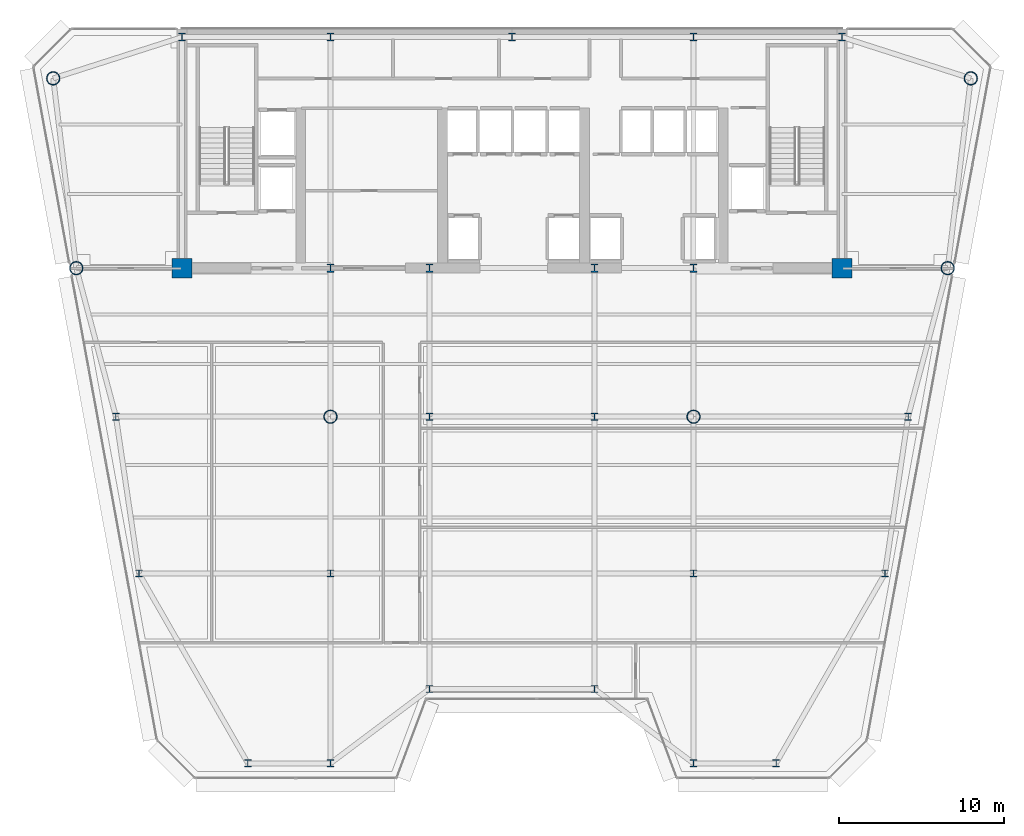
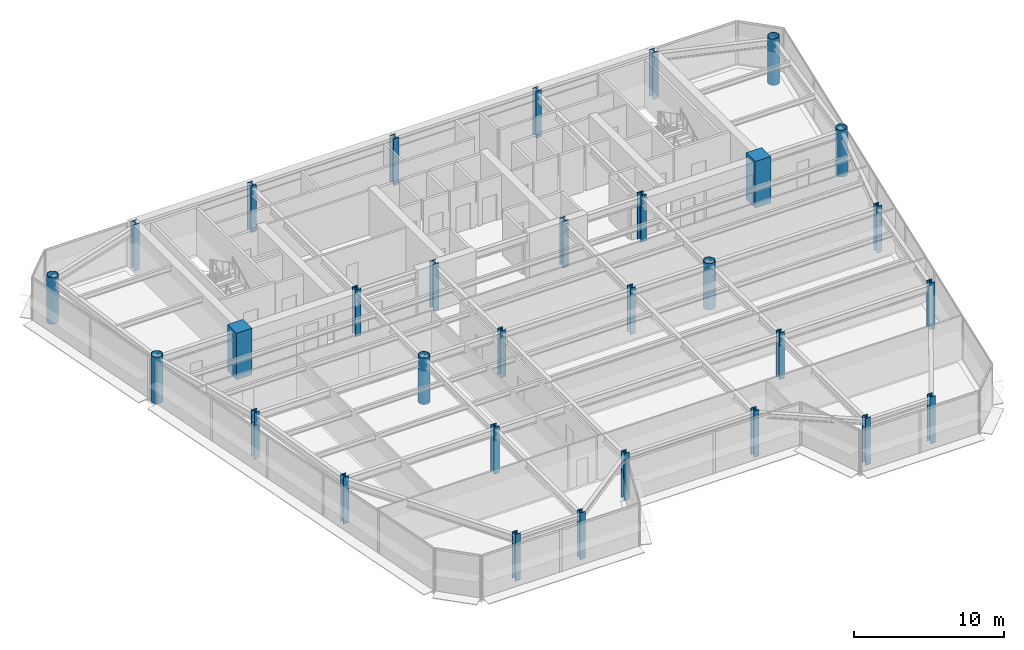
# One storey, part 1 of 16: 31 columns.
"""IFC4 building model written with IfcOpenShell, lengths in metres."""

from ifc_helpers import new_model, si_unit, direction, frame, origin, origin_2d, place, context, subcontext, project, spatial, rectangle, hollow_circle, i_section, extrude, source, transform, mapped, material, material_profile, profile_set, type_object, element, save


model = new_model("IFC4")

# Units and contexts
model_context = context("Model", 3, precision=1e-05, world=origin(), true_north=direction((0.0, 1.0)))
body_context = subcontext(model_context, "Body", "Model", "MODEL_VIEW")
ifc_project = project(units=[si_unit("LENGTHUNIT", "METRE"), si_unit("AREAUNIT", "SQUARE_METRE"), si_unit("VOLUMEUNIT", "CUBIC_METRE"), si_unit("PLANEANGLEUNIT", "RADIAN"), si_unit("MASSUNIT", "GRAM", prefix="KILO")], contexts=[model_context])

# Site, building, storey
site_placement = place(None, origin())
site = spatial("IfcSite", under=ifc_project, at=site_placement, CompositionType="ELEMENT")
building_placement = place(site_placement, origin())
building = spatial("IfcBuilding", under=site, at=building_placement, Name="Vaeldorn Concourse Tower", CompositionType="ELEMENT")
storey_placement = place(building_placement, frame((0.0, 0.0, 195.60009765625)))
storey = spatial("IfcBuildingStorey", under=building, at=storey_placement, Name="L50", CompositionType="ELEMENT", Elevation=195.60009765625)

# Columns
ifc_material_1 = material(Name="Concrete C50/60", Category="concrete")
ifc_material_profile_1 = material_profile(ifc_material_1, rectangle(XDim=1.199951171875, YDim=1.199951171875, at=origin_2d()), Name="RC 1200x1200")
ifc_profile_set_1 = profile_set([ifc_material_profile_1], Name="Concrete C50/60")
column_type_1 = type_object("IfcColumnType", Name="COL-RC1200", PredefinedType="COLUMN", material=ifc_profile_set_1)
shared_shape_1 = source(origin(), body_context, "Body", "SweptSolid", [
    extrude(rectangle(XDim=1.199951171875, YDim=1.199951171875, at=origin_2d()), origin(), (0.0, 0.0, 1.0), 3.7998046875),
])
for number, where, z_axis, x_axis, name in (
    (1, (14.0, 36.5, 0.0), (0.0, 0.0, 1.0), (1.0, 0.0, 0.0), "Column C-FC1 L50"),
    (2, (54.0, 36.5, 0.0), (0.0, 0.0, 1.0), (1.0, 0.0, 0.0), "Column C-FC6 L50"),
):
    element("IfcColumn", number, at=place(storey_placement, frame(where, z_axis=z_axis, x_axis=x_axis)), inside=storey, type_object=column_type_1, Name=name, PredefinedType="COLUMN", context=body_context, shape_type="MappedRepresentation", body=[
        mapped(shared_shape_1, transform((0.0, 0.0, 0.0), scale=1.0)),
    ])
ifc_material_2 = material(Name="Steel S460", Category="steel")
ifc_material_profile_2 = material_profile(ifc_material_2, i_section(OverallWidth=0.431884765625, OverallDepth=0.498046875, WebThickness=0.054931640625, FlangeThickness=0.068115234375, FilletRadius=0.014892578125, at=origin_2d()), Name="HD 400x744")
ifc_profile_set_2 = profile_set([ifc_material_profile_2], Name="Steel S460")
column_type_2 = type_object("IfcColumnType", Name="COL-HD744", PredefinedType="COLUMN", material=ifc_profile_set_2)
shared_shape_2 = source(origin(), body_context, "Body", "SweptSolid", [
    extrude(i_section(OverallWidth=0.431884765625, OverallDepth=0.498046875, WebThickness=0.054931640625, FlangeThickness=0.068115234375, FilletRadius=0.014892578125, at=origin_2d()), origin(), (0.0, 0.0, 1.0), 3.7998046875),
])
for number, where, z_axis, x_axis, name in (
    (3, (23.0, 36.5, 0.0), (0.0, 0.0, 1.0), (1.0, 0.0, 0.0), "Column C-FC2 L50"),
    (4, (29.0, 36.5, 0.0), (0.0, 0.0, 1.0), (1.0, 0.0, 0.0), "Column C-FC3 L50"),
    (5, (39.0, 36.5, 0.0), (0.0, 0.0, 1.0), (1.0, 0.0, 0.0), "Column C-FC4 L50"),
    (6, (45.0, 36.5, 0.0), (0.0, 0.0, 1.0), (1.0, 0.0, 0.0), "Column C-FC5 L50"),
    (7, (14.0, 50.5, 0.0), (0.0, 0.0, 1.0), (1.0, 0.0, 0.0), "Column C-HC1 L50"),
    (8, (23.0, 50.5, 0.0), (0.0, 0.0, 1.0), (1.0, 0.0, 0.0), "Column C-HC2 L50"),
    (9, (34.0, 50.5, 0.0), (0.0, 0.0, 1.0), (1.0, 0.0, 0.0), "Column C-HC3 L50"),
    (10, (45.0, 50.5, 0.0), (0.0, 0.0, 1.0), (1.0, 0.0, 0.0), "Column C-HC4 L50"),
    (11, (54.0, 50.5, 0.0), (0.0, 0.0, 1.0), (1.0, 0.0, 0.0), "Column C-HC5 L50"),
):
    element("IfcColumn", number, at=place(storey_placement, frame(where, z_axis=z_axis, x_axis=x_axis)), inside=storey, type_object=column_type_2, Name=name, PredefinedType="COLUMN", context=body_context, shape_type="MappedRepresentation", body=[
        mapped(shared_shape_2, transform((0.0, 0.0, 0.0), scale=1.0)),
    ])
ifc_material_profile_3 = material_profile(ifc_material_2, hollow_circle(Radius=0.406494140625, WallThickness=0.0400390625, at=origin_2d()), Name="CHS 813x40")
ifc_profile_set_3 = profile_set([ifc_material_profile_3], Name="Steel S460")
column_type_3 = type_object("IfcColumnType", Name="COL-CHS813", PredefinedType="COLUMN", material=ifc_profile_set_3)
shared_shape_3 = source(origin(), body_context, "Body", "SweptSolid", [
    extrude(hollow_circle(Radius=0.406494140625, WallThickness=0.0400390625, at=origin_2d()), origin(), (0.0, 0.0, 1.0), 3.7998046875),
])
for number, where, z_axis, x_axis, name in (
    (12, (6.199951171875, 48.0, 0.0), (0.0, 0.0, 1.0), (1.0, 0.0, 0.0), "Column C-NW1 L50"),
    (13, (7.60009765625, 36.5, 0.0), (0.0, 0.0, 1.0), (1.0, 0.0, 0.0), "Column C-NW2 L50"),
    (14, (61.800048828125, 48.0, 0.0), (0.0, 0.0, 1.0), (1.0, 0.0, 0.0), "Column C-NE1 L50"),
    (15, (60.39990234375, 36.5, 0.0), (0.0, 0.0, 1.0), (1.0, 0.0, 0.0), "Column C-NE2 L50"),
    (16, (23.0, 27.5, 0.0), (0.0, 0.0, 1.0), (1.0, 0.0, 0.0), "Column C-TW1 L50"),
    (17, (45.0, 27.5, 0.0), (0.0, 0.0, 1.0), (1.0, 0.0, 0.0), "Column C-TW4 L50"),
):
    element("IfcColumn", number, at=place(storey_placement, frame(where, z_axis=z_axis, x_axis=x_axis)), inside=storey, type_object=column_type_3, Name=name, PredefinedType="COLUMN", context=body_context, shape_type="MappedRepresentation", body=[
        mapped(shared_shape_3, transform((0.0, 0.0, 0.0), scale=1.0)),
    ])
ifc_material_3 = material(Name="Steel S355", Category="steel")
ifc_material_profile_4 = material_profile(ifc_material_3, i_section(OverallWidth=0.412109375, OverallDepth=0.43505859375, WebThickness=0.035888671875, FlangeThickness=0.050048828125, FilletRadius=0.014892578125, at=origin_2d()), Name="HD 400x463")
ifc_profile_set_4 = profile_set([ifc_material_profile_4], Name="Steel S355")
column_type_4 = type_object("IfcColumnType", Name="COL-HD463F", PredefinedType="COLUMN", material=ifc_profile_set_4)
shared_shape_4 = source(origin(), body_context, "Body", "SweptSolid", [
    extrude(i_section(OverallWidth=0.412109375, OverallDepth=0.43505859375, WebThickness=0.035888671875, FlangeThickness=0.050048828125, FilletRadius=0.014892578125, at=origin_2d()), origin(), (0.0, 0.0, 1.0), 3.7998046875),
])
for number, where, z_axis, x_axis, name in (
    (18, (10.0, 27.5, 0.0), (0.0, 0.0, 1.0), (1.0, 0.0, 0.0), "Column C-FLW1 L50"),
    (19, (11.39990234375, 18.0, 0.0), (0.0, 0.0, 1.0), (1.0, 0.0, 0.0), "Column C-FLW2 L50"),
    (20, (58.0, 27.5, 0.0), (0.0, 0.0, 1.0), (1.0, 0.0, 0.0), "Column C-FLE1 L50"),
    (21, (56.60009765625, 18.0, 0.0), (0.0, 0.0, 1.0), (1.0, 0.0, 0.0), "Column C-FLE2 L50"),
):
    element("IfcColumn", number, at=place(storey_placement, frame(where, z_axis=z_axis, x_axis=x_axis)), inside=storey, type_object=column_type_4, Name=name, PredefinedType="COLUMN", context=body_context, shape_type="MappedRepresentation", body=[
        mapped(shared_shape_4, transform((0.0, 0.0, 0.0), scale=1.0)),
    ])
ifc_material_profile_5 = material_profile(ifc_material_3, i_section(OverallWidth=0.412109375, OverallDepth=0.43505859375, WebThickness=0.035888671875, FlangeThickness=0.050048828125, FilletRadius=0.014892578125, at=origin_2d()), Name="HD 400x463")
ifc_profile_set_5 = profile_set([ifc_material_profile_5], Name="Steel S355")
column_type_5 = type_object("IfcColumnType", Name="COL-HD463T", PredefinedType="COLUMN", material=ifc_profile_set_5)
shared_shape_5 = source(origin(), body_context, "Body", "SweptSolid", [
    extrude(i_section(OverallWidth=0.412109375, OverallDepth=0.43505859375, WebThickness=0.035888671875, FlangeThickness=0.050048828125, FilletRadius=0.014892578125, at=origin_2d()), origin(), (0.0, 0.0, 1.0), 3.7998046875),
])
for number, where, z_axis, x_axis, name in (
    (22, (29.0, 27.5, 0.0), (0.0, 0.0, 1.0), (1.0, 0.0, 0.0), "Column C-TW2 L50"),
    (23, (39.0, 27.5, 0.0), (0.0, 0.0, 1.0), (1.0, 0.0, 0.0), "Column C-TW3 L50"),
    (24, (23.0, 18.0, 0.0), (0.0, 0.0, 1.0), (1.0, 0.0, 0.0), "Column C-TW5 L50"),
    (25, (45.0, 18.0, 0.0), (0.0, 0.0, 1.0), (1.0, 0.0, 0.0), "Column C-TW6 L50"),
    (26, (18.0, 6.5, 0.0), (0.0, 0.0, 1.0), (1.0, 0.0, 0.0), "Column C-SF1 L50"),
    (27, (23.0, 6.5, 0.0), (0.0, 0.0, 1.0), (1.0, 0.0, 0.0), "Column C-SF2 L50"),
    (28, (29.0, 11.0, 0.0), (0.0, 0.0, 1.0), (1.0, 0.0, 0.0), "Column C-SF3 L50"),
    (29, (39.0, 11.0, 0.0), (0.0, 0.0, 1.0), (1.0, 0.0, 0.0), "Column C-SF4 L50"),
    (30, (45.0, 6.5, 0.0), (0.0, 0.0, 1.0), (1.0, 0.0, 0.0), "Column C-SF5 L50"),
    (31, (50.0, 6.5, 0.0), (0.0, 0.0, 1.0), (1.0, 0.0, 0.0), "Column C-SF6 L50"),
):
    element("IfcColumn", number, at=place(storey_placement, frame(where, z_axis=z_axis, x_axis=x_axis)), inside=storey, type_object=column_type_5, Name=name, PredefinedType="COLUMN", context=body_context, shape_type="MappedRepresentation", body=[
        mapped(shared_shape_5, transform((0.0, 0.0, 0.0), scale=1.0)),
    ])

save(model, "model.ifc")
